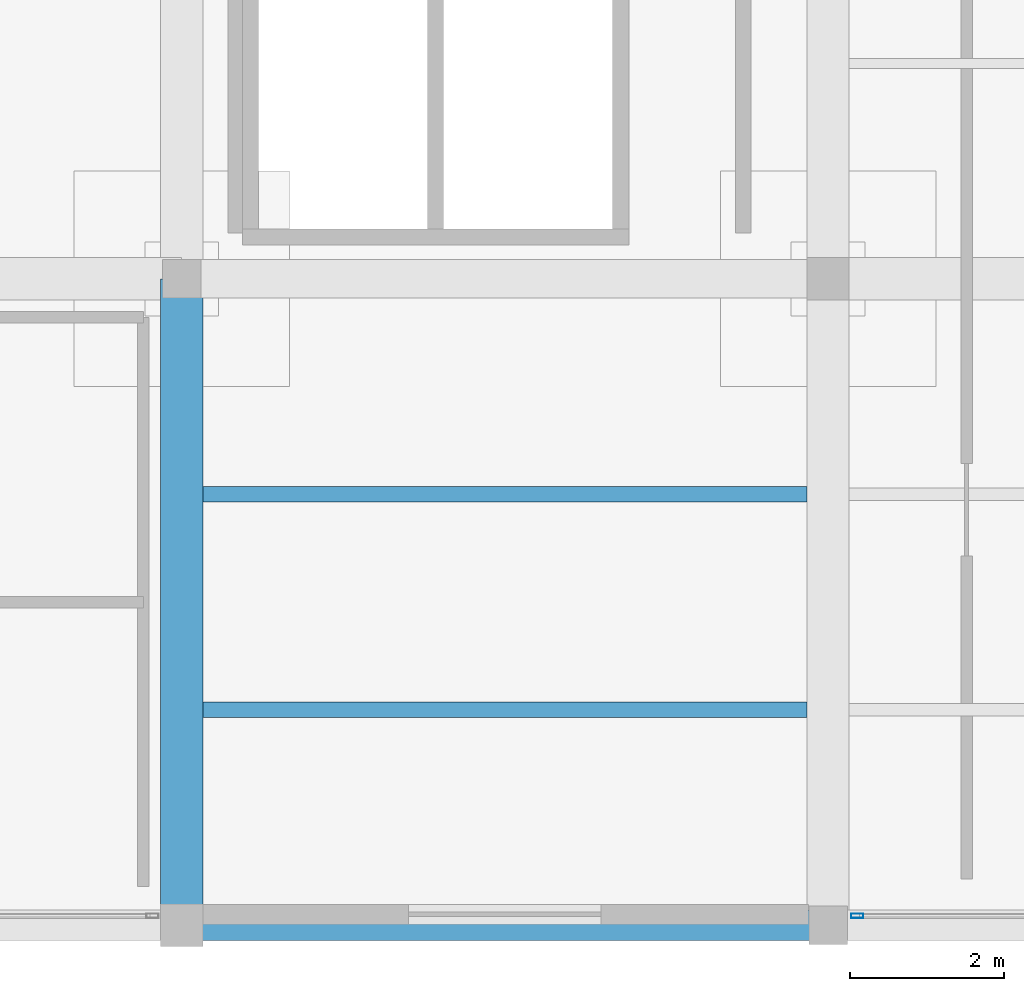
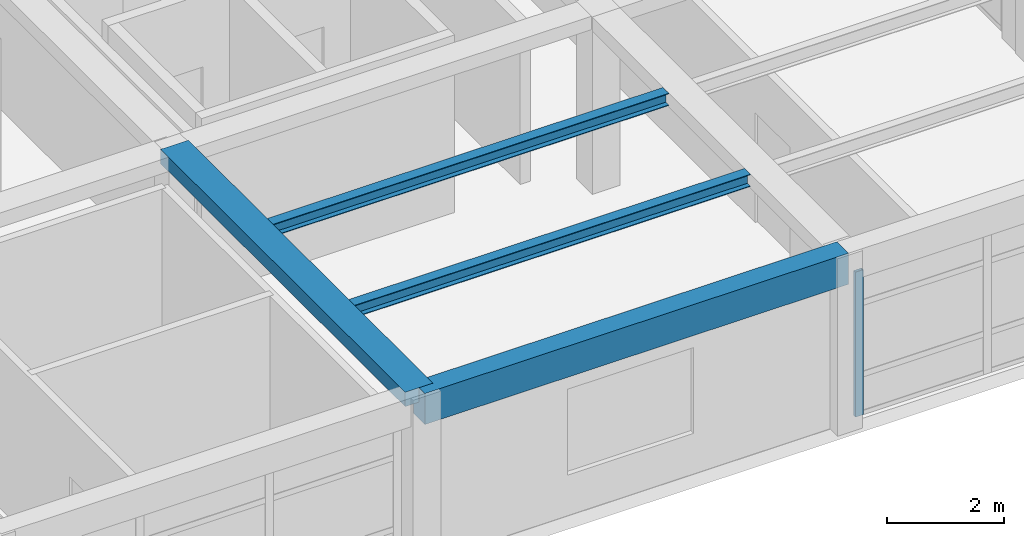
# One storey, part 6 of 20: 4 beams, 1 member, 1 element without a shape of its own.
"""IFC4 building model written with IfcOpenShell, lengths in metres."""

from ifc_helpers import new_model, si_unit, direction, frame, origin, origin_2d, place, context, subcontext, project, spatial, rectangle, hollow_rectangle, i_section, extrude, material, material_profile, profile_set, type_object, element, aggregate, save


model = new_model("IFC4")

# Units and contexts
model_context = context("Model", 3, precision=1e-05, world=origin(), true_north=direction((0.0, 1.0)))
body_context = subcontext(model_context, "Body", "Model", "MODEL_VIEW")
ifc_project = project(units=[si_unit("LENGTHUNIT", "METRE"), si_unit("AREAUNIT", "SQUARE_METRE"), si_unit("VOLUMEUNIT", "CUBIC_METRE"), si_unit("PLANEANGLEUNIT", "RADIAN"), si_unit("MASSUNIT", "GRAM", prefix="KILO")], contexts=[model_context])

# Site, building, storey
site_placement = place(None, origin())
site = spatial("IfcSite", under=ifc_project, at=site_placement, CompositionType="ELEMENT")
building_placement = place(site_placement, origin())
building = spatial("IfcBuilding", under=site, at=building_placement, Name="Almacenes y Pasaje Nevantli", CompositionType="ELEMENT")
storey_placement = place(building_placement, frame((0.0, 0.0, 62.699951171875)))
storey = spatial("IfcBuildingStorey", under=building, at=storey_placement, Name="L15", CompositionType="ELEMENT", Elevation=62.699951171875)

# Beams
ifc_material_1 = material(Name="Concrete C35/45", Category="concrete")
ifc_material_profile_1 = material_profile(ifc_material_1, rectangle(XDim=0.39990234375, YDim=0.64990234375, at=origin_2d()), Name="RC-BM-400x650")
ifc_profile_set_1 = profile_set([ifc_material_profile_1], Name="Concrete C35/45")
beam_type_1 = type_object("IfcBeamType", Name="BM-RC-400x650", PredefinedType="SPANDREL", material=ifc_profile_set_1)
beam_1_placement = place(storey_placement, frame((134.39990234375, 67.199951171875, 3.39501953125), z_axis=(1.0, 0.0, 0.0), x_axis=(0.0, 1.0, 0.0)))
element("IfcBeam", 1, at=beam_1_placement, inside=storey, type_object=beam_type_1, Name="L15 East-West Reinforced Concrete Beam #4016", PredefinedType="SPANDREL", context=body_context, shape_type="SweptSolid", body=[
    extrude(rectangle(XDim=0.39990234375, YDim=0.64990234375, at=origin_2d()), origin(), (0.0, 0.0, 1.0), 8.400146484375),
])
ifc_material_2 = material(Name="Concrete C35/45", Category="concrete")
ifc_material_profile_2 = material_profile(ifc_material_2, rectangle(XDim=0.550048828125, YDim=0.300048828125, at=origin_2d()), Name="RC-BM-550x300")
ifc_profile_set_2 = profile_set([ifc_material_profile_2], Name="Concrete C35/45")
beam_type_2 = type_object("IfcBeamType", Name="BM-RC-550x300", PredefinedType="BEAM", material=ifc_profile_set_2)
beam_2_placement = place(storey_placement, frame((134.39990234375, 67.199951171875, 3.570068359375), z_axis=(0.0, 1.0, 0.0), x_axis=(-1.0, 0.0, 0.0)))
element("IfcBeam", 2, at=beam_2_placement, inside=storey, type_object=beam_type_2, Name="L15 North-South Reinforced Concrete Beam #4035", PredefinedType="BEAM", context=body_context, shape_type="SweptSolid", body=[
    extrude(rectangle(XDim=0.550048828125, YDim=0.300048828125, at=origin_2d()), origin(), (0.0, 0.0, 1.0), 8.400146484375),
])
ifc_material_3 = material(Name="Steel ASTM A992", Category="steel")
ifc_material_profile_3 = material_profile(ifc_material_3, i_section(OverallWidth=0.2041015625, OverallDepth=0.258056640625, WebThickness=0.008056640625, FlangeThickness=0.013427734375, at=origin_2d()), Name="IR 254x58.0")
ifc_profile_set_3 = profile_set([ifc_material_profile_3], Name="Steel ASTM A992")
beam_type_3 = type_object("IfcBeamType", Name="BM-STL-IR-254x58p0", PredefinedType="JOIST", material=ifc_profile_set_3)
for number, where, z_axis, x_axis, name in (
    (3, (134.675048828125, 70.0, 3.5830078125), (1.0, 0.0, 0.0), (0.0, 1.0, 0.0), "L15 Secondary Steel Floor Joist #1605"),
    (4, (134.675048828125, 72.800048828125, 3.5830078125), (1.0, 0.0, 0.0), (0.0, 1.0, 0.0), "L15 Secondary Steel Floor Joist #1606"),
):
    element("IfcBeam", number, at=place(storey_placement, frame(where, z_axis=z_axis, x_axis=x_axis)), inside=storey, type_object=beam_type_3, Name=name, PredefinedType="JOIST", context=body_context, shape_type="SweptSolid", body=[
        extrude(i_section(OverallWidth=0.2041015625, OverallDepth=0.258056640625, WebThickness=0.008056640625, FlangeThickness=0.013427734375, at=origin_2d()), origin(), (0.0, 0.0, 1.0), 7.849853515625),
    ])

# Curtain wall, member
ifc_material_4 = material(Name="Thermally Broken Aluminium and Low-E Glass", Category="aluminium")
curtain_wall_type = type_object("IfcCurtainWallType", Name="CW-UNIT-TOWER", PredefinedType="USERDEFINED", material=ifc_material_4)
curtain_wall_placement = place(storey_placement, origin())
curtain_wall = element("IfcCurtainWall", 5, at=curtain_wall_placement, inside=storey, type_object=curtain_wall_type, Name="L15 Tower South Unitized Curtain Wall Bay 18", ObjectType="UNITIZED CURTAIN WALL", PredefinedType="USERDEFINED")
ifc_material_5 = material(Name="Thermally Broken Anodized Aluminium", Category="aluminium")
ifc_material_profile_4 = material_profile(ifc_material_5, hollow_rectangle(XDim=0.06005859375, YDim=0.159912109375, WallThickness=0.00390625, at=origin_2d()), Name="ALU-MUL-60x160")
ifc_profile_set_4 = profile_set([ifc_material_profile_4], Name="Thermally Broken Anodized Aluminium")
member_type = type_object("IfcMemberType", Name="CW-MUL-180", PredefinedType="MULLION", material=ifc_profile_set_4)
member_placement = place(storey_placement, frame((143.179931640625, 67.320068359375, 0.0), z_axis=(0.0, 0.0, 1.0), x_axis=(0.0, 1.0, 0.0)))
member = element("IfcMember", 6, at=member_placement, type_object=member_type, Name="CW-L15-187 mullion 1", PredefinedType="MULLION", context=body_context, shape_type="SweptSolid", body=[
    extrude(hollow_rectangle(XDim=0.06005859375, YDim=0.159912109375, WallThickness=0.00390625, at=origin_2d()), origin(), (0.0, 0.0, 1.0), 3.0400390625),
])
aggregate(curtain_wall, [member])

save(model, "model.ifc")
